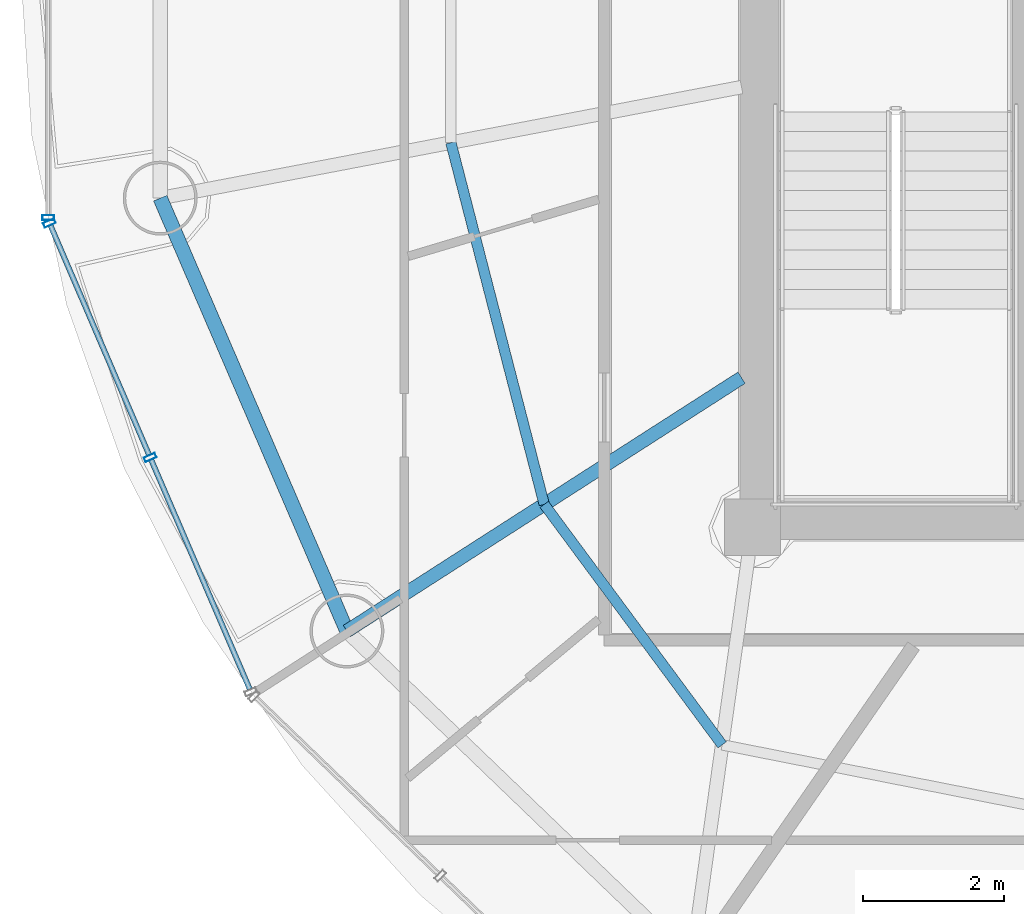
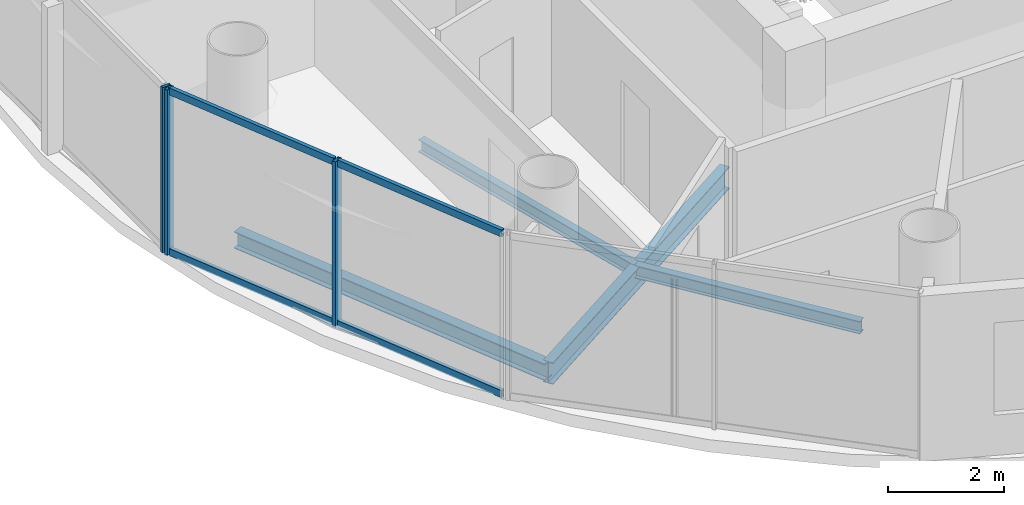
# One storey, part 4 of 24: 7 members, 4 beams, 2 elements without a shape of their own.
"""IFC4 building model written with IfcOpenShell, lengths in metres."""

from ifc_helpers import new_model, si_unit, direction, frame, origin, origin_2d, place, context, subcontext, project, spatial, hollow_rectangle, i_section, extrude, source, transform, mapped, material, material_profile, profile_set, type_object, element, aggregate, save


model = new_model("IFC4")

# Units and contexts
model_context = context("Model", 3, precision=1e-05, world=origin(), true_north=direction((-0.2419218956, 0.970295726276)))
body_context = subcontext(model_context, "Body", "Model", "MODEL_VIEW")
ifc_project = project(units=[si_unit("LENGTHUNIT", "METRE"), si_unit("AREAUNIT", "SQUARE_METRE"), si_unit("VOLUMEUNIT", "CUBIC_METRE"), si_unit("PLANEANGLEUNIT", "RADIAN"), si_unit("MASSUNIT", "GRAM", prefix="KILO")], contexts=[model_context])

# Site, building, storey
site_placement = place(None, origin())
site = spatial("IfcSite", under=ifc_project, at=site_placement, CompositionType="ELEMENT")
building_placement = place(site_placement, origin())
building = spatial("IfcBuilding", under=site, at=building_placement, Name="Cobrevalo Terracotta Tower", CompositionType="ELEMENT")
storey_placement = place(building_placement, frame((0.0, 0.0, 270.699951171875)))
storey = spatial("IfcBuildingStorey", under=building, at=storey_placement, Name="L71", CompositionType="ELEMENT", Elevation=270.699951171875)

# Beams
ifc_material_1 = material(Name="Steel S355", Category="steel")
ifc_material_profile_1 = material_profile(ifc_material_1, i_section(OverallWidth=0.19091796875, OverallDepth=0.4599609375, WebThickness=0.010009765625, FlangeThickness=0.01611328125, at=origin_2d()), Name="W 460x82")
ifc_profile_set_1 = profile_set([ifc_material_profile_1], Name="Steel S355")
beam_type_1 = type_object("IfcBeamType", Name="Structural Beam W 460x82 (Steel S355)", PredefinedType="BEAM", material=ifc_profile_set_1)
beam_1_placement = place(storey_placement, frame((23.241455078125, 17.32763671875, -0.489990234375), z_axis=(0.84157615512, 0.540138477739, 0.0), x_axis=(-0.540138477739, 0.84157615512, 0.0)))
element("IfcBeam", 1, at=beam_1_placement, inside=storey, type_object=beam_type_1, Name="L71 radial floor girder 10", PredefinedType="BEAM", context=body_context, shape_type="SweptSolid", body=[
    extrude(i_section(OverallWidth=0.19091796875, OverallDepth=0.4599609375, WebThickness=0.010009765625, FlangeThickness=0.01611328125, at=origin_2d()), origin(), (0.0, 0.0, 1.0), 6.658447265625),
])
ifc_material_profile_2 = material_profile(ifc_material_1, i_section(OverallWidth=0.14794921875, OverallDepth=0.26611328125, WebThickness=0.007568359375, FlangeThickness=0.012939453125, at=origin_2d()), Name="W 250x44.8")
ifc_profile_set_2 = profile_set([ifc_material_profile_2], Name="Steel S355")
beam_type_2 = type_object("IfcBeamType", Name="Structural Joist W 250x44.8 (Steel S355)", PredefinedType="JOIST", material=ifc_profile_set_2)
beam_2_placement = place(storey_placement, frame((24.718017578125, 24.26220703125, -0.39306640625), z_axis=(0.249816773293, -0.968293126993, 0.0), x_axis=(0.968293126993, 0.249816773293, 0.0)))
element("IfcBeam", 2, at=beam_2_placement, inside=storey, type_object=beam_type_2, Name="L71 circumferential secondary floor joist 09", PredefinedType="JOIST", context=body_context, shape_type="SweptSolid", body=[
    extrude(i_section(OverallWidth=0.14794921875, OverallDepth=0.26611328125, WebThickness=0.007568359375, FlangeThickness=0.012939453125, at=origin_2d()), origin(), (0.0, 0.0, 1.0), 5.3046875),
])
beam_3_placement = place(storey_placement, frame((26.043212890625, 19.125732421875, -0.39306640625), z_axis=(0.594799916617, -0.803873783123, 0.0), x_axis=(0.803873783123, 0.594799916617, 0.0)))
element("IfcBeam", 3, at=beam_3_placement, inside=storey, type_object=beam_type_2, Name="L71 circumferential secondary floor joist 10", PredefinedType="JOIST", context=body_context, shape_type="SweptSolid", body=[
    extrude(i_section(OverallWidth=0.14794921875, OverallDepth=0.26611328125, WebThickness=0.007568359375, FlangeThickness=0.012939453125, at=origin_2d()), origin(), (0.0, 0.0, 1.0), 4.2470703125),
])
ifc_material_profile_3 = material_profile(ifc_material_1, i_section(OverallWidth=0.205078125, OverallDepth=0.35400390625, WebThickness=0.009521484375, FlangeThickness=0.016845703125, at=origin_2d()), Name="W 360x79")
ifc_profile_set_3 = profile_set([ifc_material_profile_3], Name="Steel S355")
beam_type_3 = type_object("IfcBeamType", Name="Structural Spandrel W 360x79 (Steel S355)", PredefinedType="SPANDREL", material=ifc_profile_set_3)
beam_4_placement = place(storey_placement, frame((20.591064453125, 23.4736328125, -0.43701171875), z_axis=(0.395987390706, -0.918255948198, 0.0), x_axis=(0.918255948198, 0.395987390706, 0.0)))
element("IfcBeam", 4, at=beam_4_placement, inside=storey, type_object=beam_type_3, Name="L71 perimeter ring spandrel 09", PredefinedType="SPANDREL", context=body_context, shape_type="SweptSolid", body=[
    extrude(i_section(OverallWidth=0.205078125, OverallDepth=0.35400390625, WebThickness=0.009521484375, FlangeThickness=0.016845703125, at=origin_2d()), origin(), (0.0, 0.0, 1.0), 6.693115234375),
])

# Curtain wall, member
ifc_material_2 = material(Name="Anodized aluminium", Category="aluminium")
curtain_wall_type = type_object("IfcCurtainWallType", Name="Upper-tower triple-glazed penthouse curtain wall CW-U3", PredefinedType="NOTDEFINED", material=ifc_material_2)
curtain_wall_1_placement = place(storey_placement, origin())
curtain_wall_1 = element("IfcCurtainWall", 5, at=curtain_wall_1_placement, inside=storey, type_object=curtain_wall_type, Name="L71 curtain wall CW-L71-S08", PredefinedType="NOTDEFINED")
ifc_material_profile_4 = material_profile(ifc_material_2, hollow_rectangle(XDim=0.070068359375, YDim=0.169921875, WallThickness=0.00439453125, at=origin_2d()), Name="CWM 70x170")
ifc_profile_set_4 = profile_set([ifc_material_profile_4], Name="Anodized aluminium")
member_type_1 = type_object("IfcMemberType", Name="Upper tower unitised mullion 70x170", PredefinedType="MULLION", material=ifc_profile_set_4)
shared_shape_1 = source(origin(), body_context, "Body", "SweptSolid", [
    extrude(hollow_rectangle(XDim=0.070068359375, YDim=0.169921875, WallThickness=0.00439453125, at=origin_2d()), origin(), (0.0, 0.0, 1.0), 3.489990234375),
])
member_1_placement = place(storey_placement, frame((19.002197265625, 23.19775390625, 0.0), z_axis=(0.0, 0.0, 1.0), x_axis=(0.0, -1.0, 0.0)))
member_1 = element("IfcMember", 6, at=member_1_placement, type_object=member_type_1, Name="CW-L71-S08 vertical mullion 03", PredefinedType="MULLION", context=body_context, shape_type="MappedRepresentation", body=[
    mapped(shared_shape_1, transform((0.0, 0.0, 0.0), scale=1.0)),
])
aggregate(curtain_wall_1, [member_1])

# Curtain wall, members
curtain_wall_2_placement = place(storey_placement, origin())
curtain_wall_2 = element("IfcCurtainWall", 7, at=curtain_wall_2_placement, inside=storey, type_object=curtain_wall_type, Name="L71 curtain wall CW-L71-S09", PredefinedType="NOTDEFINED")
member_2_placement = place(storey_placement, frame((19.01806640625, 23.120849609375, 0.0), z_axis=(0.0, 0.0, 1.0), x_axis=(0.39482403454, -0.91875675875, 0.0)))
member_2 = element("IfcMember", 8, at=member_2_placement, type_object=member_type_1, Name="CW-L71-S09 vertical mullion 01", PredefinedType="MULLION", context=body_context, shape_type="MappedRepresentation", body=[
    mapped(shared_shape_1, transform((0.0, 0.0, 0.0), scale=1.0)),
])
member_3_placement = place(storey_placement, frame((20.4482421875, 19.79248046875, 0.0), z_axis=(0.0, 0.0, 1.0), x_axis=(0.39482403454, -0.91875675875, 0.0)))
member_3 = element("IfcMember", 9, at=member_3_placement, type_object=member_type_1, Name="CW-L71-S09 vertical mullion 02", PredefinedType="MULLION", context=body_context, shape_type="MappedRepresentation", body=[
    mapped(shared_shape_1, transform((0.0, 0.0, 0.0), scale=1.0)),
])
ifc_material_profile_5 = material_profile(ifc_material_2, hollow_rectangle(XDim=0.074951171875, YDim=0.14990234375, WallThickness=0.00439453125, at=origin_2d()), Name="CWT 75x150")
ifc_profile_set_5 = profile_set([ifc_material_profile_5], Name="Anodized aluminium")
member_type_2 = type_object("IfcMemberType", Name="Tower unitised aluminium transom 75x150", PredefinedType="USERDEFINED", material=ifc_profile_set_5)
shared_shape_2 = source(origin(), body_context, "Body", "SweptSolid", [
    extrude(hollow_rectangle(XDim=0.074951171875, YDim=0.14990234375, WallThickness=0.00439453125, at=origin_2d()), origin(), (0.0, 0.0, 1.0), 3.542724609375),
])
member_4_placement = place(storey_placement, frame((19.03369140625, 23.084228515625, 0.050048828125), z_axis=(0.394867226589, -0.918738196314, 0.0), x_axis=(0.918738196314, 0.394867226589, 0.0)))
member_4 = element("IfcMember", 10, at=member_4_placement, type_object=member_type_2, Name="CW-L71-S09 transom B01-T1", ObjectType="TRANSOM", PredefinedType="USERDEFINED", context=body_context, shape_type="MappedRepresentation", body=[
    mapped(shared_shape_2, transform((0.0, 0.0, 0.0), scale=1.0)),
])
member_5_placement = place(storey_placement, frame((19.03369140625, 23.084228515625, 3.43994140625), z_axis=(0.394867226589, -0.918738196314, 0.0), x_axis=(0.918738196314, 0.394867226589, 0.0)))
member_5 = element("IfcMember", 11, at=member_5_placement, type_object=member_type_2, Name="CW-L71-S09 transom B01-T2", ObjectType="TRANSOM", PredefinedType="USERDEFINED", context=body_context, shape_type="MappedRepresentation", body=[
    mapped(shared_shape_2, transform((0.0, 0.0, 0.0), scale=1.0)),
])
member_6_placement = place(storey_placement, frame((20.464111328125, 19.755859375, 0.050048828125), z_axis=(0.394809056766, -0.918763195114, 0.0), x_axis=(0.918763195114, 0.394809056766, 0.0)))
member_6 = element("IfcMember", 12, at=member_6_placement, type_object=member_type_2, Name="CW-L71-S09 transom B02-T1", ObjectType="TRANSOM", PredefinedType="USERDEFINED", context=body_context, shape_type="MappedRepresentation", body=[
    mapped(shared_shape_2, transform((0.0, 0.0, 0.0), scale=1.0)),
])
member_7_placement = place(storey_placement, frame((20.464111328125, 19.755859375, 3.43994140625), z_axis=(0.394809056766, -0.918763195114, 0.0), x_axis=(0.918763195114, 0.394809056766, 0.0)))
member_7 = element("IfcMember", 13, at=member_7_placement, type_object=member_type_2, Name="CW-L71-S09 transom B02-T2", ObjectType="TRANSOM", PredefinedType="USERDEFINED", context=body_context, shape_type="MappedRepresentation", body=[
    mapped(shared_shape_2, transform((0.0, 0.0, 0.0), scale=1.0)),
])
aggregate(curtain_wall_2, [member_2, member_3, member_4, member_5, member_6, member_7])

save(model, "model.ifc")
